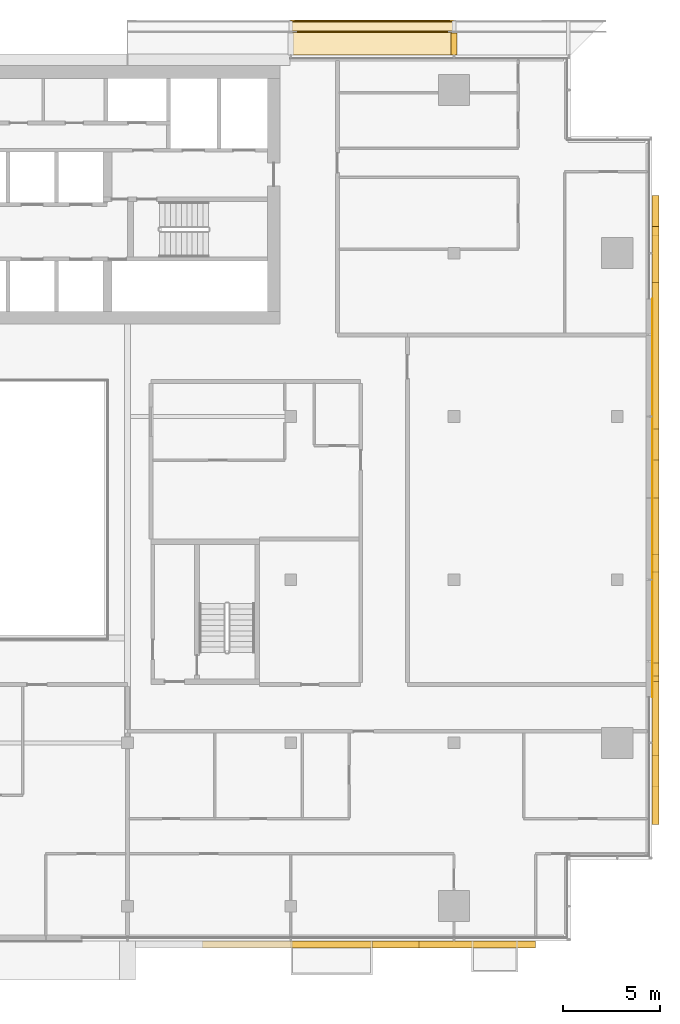
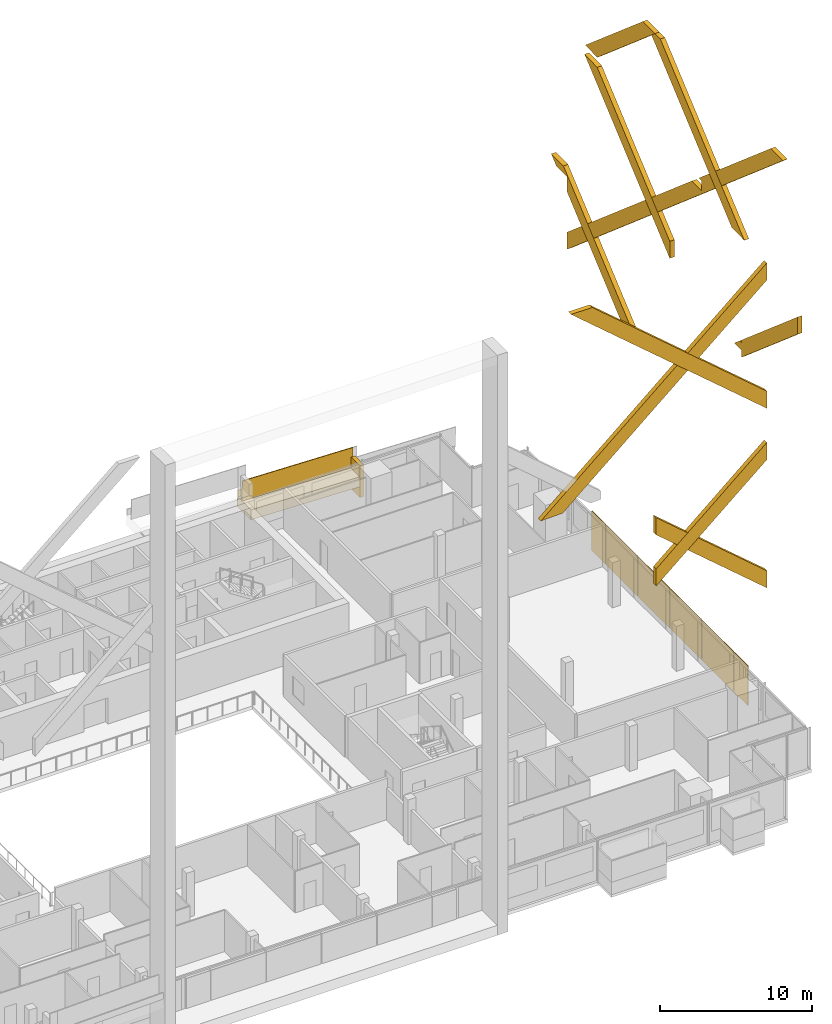
# One storey, part 30 of 31: 19 coverings, 1 railing.
"""IFC4 building model written with IfcOpenShell, lengths in metres."""

import ifcopenshell
import ifcopenshell.guid

model = None  # the IFC model being written
_history = None  # IfcOwnerHistory: only IFC2X3 demands one
_inside = {}  # id of a spatial element -> (the spatial element, [elements in it])
_under = {}  # id of a project, library or spatial element -> (it, [spatial elements below it])
_declared = {}  # id of a project -> (the project, [libraries it declares])
_typed = {}  # id of a type object -> (the type object, [elements of that type])
_made_of = {}  # id of a material, layer set ... -> (it, [elements and type objects made of it])


def new_model(schema):
    """Start an empty IFC model of exactly this schema.

    Asked for "IFC4X3", IfcOpenShell would pick the latest addendum, in which some entities
    have other attributes; the version numbers below select the first issue.
    IFC2X3 requires an IfcOwnerHistory on every rooted entity: one is made here for all.
    """
    global model, _history
    if schema == "IFC4X3":
        model = ifcopenshell.file(schema_version=(4, 3, 0, 0))
    else:
        model = ifcopenshell.file(schema=schema)
    _inside.clear()
    _under.clear()
    _declared.clear()
    _typed.clear()
    _made_of.clear()
    _history = None
    if model.schema == "IFC2X3":
        org = make("IfcOrganization", Name="unknown")
        user = make(
            "IfcPersonAndOrganization",
            ThePerson=make("IfcPerson", FamilyName="unknown"),
            TheOrganization=org,
        )
        app = make(
            "IfcApplication",
            ApplicationDeveloper=org,
            Version="unknown",
            ApplicationFullName="unknown",
            ApplicationIdentifier="unknown",
        )
        _history = make(
            "IfcOwnerHistory",
            OwningUser=user,
            OwningApplication=app,
            ChangeAction="ADDED",
            CreationDate=0,
        )
    return model


def make(cls, **values):
    """One entity of the class cls with the attributes given. An attribute that is None is left unset."""
    return model.create_entity(
        cls, **{name: value for name, value in values.items() if value is not None}
    )


def rooted(cls, **values):
    """An entity with a GlobalId (a new one), such as an element, a storey or a relation."""
    return make(cls, GlobalId=ifcopenshell.guid.new(), OwnerHistory=_history, **values)


def si_unit(unit_type, name, prefix=None):
    """IfcSIUnit, for example si_unit("LENGTHUNIT", "METRE", prefix="MILLI")."""
    return make("IfcSIUnit", UnitType=unit_type, Prefix=prefix, Name=name)


def assignment(units):
    """IfcUnitAssignment: the units of a project."""
    return None if units is None else make("IfcUnitAssignment", Units=units)


def point(xyz):
    """IfcCartesianPoint."""
    return None if xyz is None else make("IfcCartesianPoint", Coordinates=xyz)


def direction(xyz):
    """IfcDirection."""
    return None if xyz is None else make("IfcDirection", DirectionRatios=xyz)


def frame(location, z_axis=None, x_axis=None):
    """IfcAxis2Placement3D, a coordinate frame: its origin and axes. An axis left out is left unset."""
    return make(
        "IfcAxis2Placement3D",
        Location=point(location),
        Axis=direction(z_axis),
        RefDirection=direction(x_axis),
    )


def frame_2d(location, x_axis=None):
    """IfcAxis2Placement2D, a coordinate frame in the plane: its origin and x axis."""
    return make(
        "IfcAxis2Placement2D", Location=point(location), RefDirection=direction(x_axis)
    )


def origin():
    """The frame at (0, 0, 0) with its axes left unset."""
    return frame((0.0, 0.0, 0.0))


def origin_2d():
    """The frame at (0, 0) in the plane with its x axis left unset."""
    return frame_2d((0.0, 0.0))


def place(relative_to, where):
    """IfcLocalPlacement: puts the frame where relative to a parent placement (None: the world)."""
    return make(
        "IfcLocalPlacement", PlacementRelTo=relative_to, RelativePlacement=where
    )


def context(
    kind, dimensions, precision=None, world=None, true_north=None, identifier=None
):
    """IfcGeometricRepresentationContext, for example the 3D "Model" context."""
    return make(
        "IfcGeometricRepresentationContext",
        ContextIdentifier=identifier,
        ContextType=kind,
        CoordinateSpaceDimension=dimensions,
        Precision=precision,
        WorldCoordinateSystem=world,
        TrueNorth=true_north,
    )


def subcontext(parent, identifier, kind, view, scale=None):
    """IfcGeometricRepresentationSubContext, for example "Body" below "Model"."""
    return make(
        "IfcGeometricRepresentationSubContext",
        ContextIdentifier=identifier,
        ContextType=kind,
        ParentContext=parent,
        TargetScale=scale,
        TargetView=view,
    )


def project(units=None, contexts=None):
    """IfcProject with its units and contexts."""
    return rooted(
        "IfcProject",
        Name="project",
        RepresentationContexts=contexts,
        UnitsInContext=assignment(units),
    )


def spatial(cls, under=None, at=None, **own):
    """A site, building, storey or space (cls), placed at a placement, below another one or the project."""
    s = rooted(cls, ObjectPlacement=at, **own)
    if under is not None:
        _under.setdefault(under.id(), (under, []))[1].append(s)
    return s


def polyline(points):
    """IfcPolyline through the points."""
    return make("IfcPolyline", Points=[point(p) for p in points])


def profile(cls, at=None, kind="AREA", **sizes):
    """A parametric profile (cls). Its sizes go by their IFC names, for example OverallWidth=200.0."""
    return make(cls, ProfileType=kind, Position=at, **sizes)


def rectangle(**sizes):
    """IfcRectangleProfileDef."""
    return profile("IfcRectangleProfileDef", **sizes)


def outline(outer, holes=None, kind="AREA"):
    """IfcArbitraryClosedProfileDef: a profile drawn as a closed curve; with holes, ...WithVoids."""
    if holes is None:
        return make("IfcArbitraryClosedProfileDef", ProfileType=kind, OuterCurve=outer)
    return make(
        "IfcArbitraryProfileDefWithVoids",
        ProfileType=kind,
        OuterCurve=outer,
        InnerCurves=holes,
    )


def extrude(swept, where, along, depth):
    """IfcExtrudedAreaSolid: the profile swept, set in the frame where, extruded along a direction by depth."""
    return make(
        "IfcExtrudedAreaSolid",
        SweptArea=swept,
        Position=where,
        ExtrudedDirection=direction(along),
        Depth=depth,
    )


def shape(context_of_items, identifier, shape_type, items):
    """IfcShapeRepresentation: the items that make up one representation, for example the "Body"."""
    return make(
        "IfcShapeRepresentation",
        ContextOfItems=context_of_items,
        RepresentationIdentifier=identifier,
        RepresentationType=shape_type,
        Items=items,
    )


def material(Name=None, Category=None):
    """IfcMaterial."""
    return make("IfcMaterial", Name=Name, Category=Category)


def layer(
    of_material, thickness, ventilated=None, Name=None, Category=None, Priority=None
):
    """IfcMaterialLayer: one layer of a wall or slab, of a material (None: an air gap)."""
    return make(
        "IfcMaterialLayer",
        Material=of_material,
        LayerThickness=thickness,
        IsVentilated=ventilated,
        Name=Name,
        Category=Category,
        Priority=Priority,
    )


def layer_set(layers, Name=None):
    """IfcMaterialLayerSet."""
    return make("IfcMaterialLayerSet", MaterialLayers=layers, LayerSetName=Name)


def made_of(thing, what):
    """Note that an element or type object is made of a material, layer set ...; save() writes the relation."""
    if what is not None:
        _made_of.setdefault(what.id(), (what, []))[1].append(thing)
    return thing


def type_object(cls, material=None, **own):
    """A type object (cls), such as IfcWallType, which elements share."""
    return made_of(rooted(cls, **own), material)


def element(
    cls,
    number,
    at=None,
    inside=None,
    cuts=None,
    type_object=None,
    material=None,
    context=None,
    identifier="Body",
    shape_type=None,
    held_by="IfcProductDefinitionShape",
    body=None,
    shapes=None,
    **own,
):
    """One element of the class cls, such as IfcWall. Its Tag is "e" and its number.

    at: its placement. inside: the storey or other place that contains it. cuts: it is an
    opening in that element (IfcRelVoidsElement). A single representation is given by context,
    identifier, shape_type and body (its items); several are given by shapes. held_by: the class
    of the entity that holds the representations. save() writes the other relations.
    """
    e = rooted(cls, Tag="e%d" % number, ObjectPlacement=at, **own)
    if body is not None:
        shapes = [shape(context, identifier, shape_type, body)]
    if shapes is not None:
        e.Representation = make(held_by, Representations=shapes)
    if inside is not None:
        _inside.setdefault(inside.id(), (inside, []))[1].append(e)
    if cuts is not None:
        rooted(
            "IfcRelVoidsElement", RelatingBuildingElement=cuts, RelatedOpeningElement=e
        )
    if type_object is not None:
        _typed.setdefault(type_object.id(), (type_object, []))[1].append(e)
    return made_of(e, material)


def aggregate(whole, parts):
    """IfcRelAggregates: a whole, such as a stair, and the parts it consists of."""
    return rooted("IfcRelAggregates", RelatingObject=whole, RelatedObjects=parts)


def save(model, path):
    """Write the relations noted so far, then the file.

    IfcRelAggregates (storeys below a building ...), IfcRelContainedInSpatialStructure (elements
    in a storey), IfcRelDefinesByType, IfcRelAssociatesMaterial and IfcRelDeclares: one each for
    every whole, place, type object, material and project.
    """
    for whole, parts in _under.values():
        aggregate(whole, parts)
    for where, things in _inside.values():
        rooted(
            "IfcRelContainedInSpatialStructure",
            RelatedElements=things,
            RelatingStructure=where,
        )
    for kind, things in _typed.values():
        rooted("IfcRelDefinesByType", RelatedObjects=things, RelatingType=kind)
    for what, things in _made_of.values():
        rooted("IfcRelAssociatesMaterial", RelatedObjects=things, RelatingMaterial=what)
    for by, libraries in _declared.values():
        rooted("IfcRelDeclares", RelatingContext=by, RelatedDefinitions=libraries)
    model.write(path)


model = new_model("IFC4")

# Units and contexts
model_context = context("Model", 3, precision=1e-05, world=origin(), true_north=direction((0.0, 1.0)))
body_context = subcontext(model_context, "Body", "Model", "MODEL_VIEW")
ifc_project = project(units=[si_unit("LENGTHUNIT", "METRE"), si_unit("AREAUNIT", "SQUARE_METRE"), si_unit("VOLUMEUNIT", "CUBIC_METRE"), si_unit("PLANEANGLEUNIT", "RADIAN"), si_unit("MASSUNIT", "GRAM", prefix="KILO")], contexts=[model_context])

# Site, building, storey
site_placement = place(None, origin())
site = spatial("IfcSite", under=ifc_project, at=site_placement, CompositionType="ELEMENT")
building_placement = place(site_placement, origin())
building = spatial("IfcBuilding", under=site, at=building_placement, Name="Saffron Gate Tower", CompositionType="ELEMENT")
storey_placement = place(building_placement, frame((0.0, 0.0, 205.5)))
storey = spatial("IfcBuildingStorey", under=building, at=storey_placement, Name="L49", CompositionType="ELEMENT", Elevation=205.5)

# Coverings
ifc_material_1 = material(Name="Ceramic-printed bronze insulated panel")
ifc_layer_1 = layer(ifc_material_1, 0.0400390625)
ifc_layer_set_1 = layer_set([ifc_layer_1], Name="CLDA ceramic-printed bay cladding 40")
covering_type_1 = type_object("IfcCoveringType", Name="CLDA ceramic-printed bay cladding 40", PredefinedType="CLADDING", material=ifc_layer_set_1)
covering_1_placement = place(storey_placement, origin())
element("IfcCovering", 1, at=covering_1_placement, inside=storey, type_object=covering_type_1, Name="CLADDING bay panel in front of the arch", PredefinedType="CLADDING", context=body_context, shape_type="SweptSolid", body=[
    extrude(outline(polyline([(127.239990234375, 42.55078125), (127.239990234375, 44.3701171875), (127.199951171875, 44.3701171875), (127.199951171875, 42.55078125), (127.239990234375, 42.55078125)])), origin(), (0.0, 0.0, 1.0), 3.199951171875),
])
covering_2_placement = place(storey_placement, origin())
element("IfcCovering", 2, at=covering_2_placement, inside=storey, type_object=covering_type_1, Name="CLADDING bay panel in front of the arch", PredefinedType="CLADDING", context=body_context, shape_type="SweptSolid", body=[
    extrude(outline(polyline([(127.239990234375, 44.429931640625), (127.239990234375, 48.570068359375), (127.199951171875, 48.570068359375), (127.199951171875, 44.429931640625), (127.239990234375, 44.429931640625)])), origin(), (0.0, 0.0, 1.0), 3.199951171875),
])
covering_3_placement = place(storey_placement, origin())
element("IfcCovering", 3, at=covering_3_placement, inside=storey, type_object=covering_type_1, Name="CLADDING bay panel in front of the arch", PredefinedType="CLADDING", context=body_context, shape_type="SweptSolid", body=[
    extrude(outline(polyline([(127.239990234375, 48.6298828125), (127.239990234375, 52.77001953125), (127.199951171875, 52.77001953125), (127.199951171875, 48.6298828125), (127.239990234375, 48.6298828125)])), origin(), (0.0, 0.0, 1.0), 3.199951171875),
])
covering_4_placement = place(storey_placement, origin())
element("IfcCovering", 4, at=covering_4_placement, inside=storey, type_object=covering_type_1, Name="CLADDING bay panel in front of the arch", PredefinedType="CLADDING", context=body_context, shape_type="SweptSolid", body=[
    extrude(outline(polyline([(127.239990234375, 52.830078125), (127.239990234375, 56.969970703125), (127.199951171875, 56.969970703125), (127.199951171875, 52.830078125), (127.239990234375, 52.830078125)])), origin(), (0.0, 0.0, 1.0), 3.199951171875),
])
covering_5_placement = place(storey_placement, origin())
element("IfcCovering", 5, at=covering_5_placement, inside=storey, type_object=covering_type_1, Name="CLADDING bay panel in front of the arch", PredefinedType="CLADDING", context=body_context, shape_type="SweptSolid", body=[
    extrude(outline(polyline([(127.239990234375, 57.030029296875), (127.239990234375, 61.169921875), (127.199951171875, 61.169921875), (127.199951171875, 57.030029296875), (127.239990234375, 57.030029296875)])), origin(), (0.0, 0.0, 1.0), 3.199951171875),
])
covering_6_placement = place(storey_placement, origin())
element("IfcCovering", 6, at=covering_6_placement, inside=storey, type_object=covering_type_1, Name="CLADDING bay panel in front of the arch", PredefinedType="CLADDING", context=body_context, shape_type="SweptSolid", body=[
    extrude(outline(polyline([(127.239990234375, 61.22998046875), (127.239990234375, 63.04931640625), (127.199951171875, 63.04931640625), (127.199951171875, 61.22998046875), (127.239990234375, 61.22998046875)])), origin(), (0.0, 0.0, 1.0), 3.199951171875),
])
ifc_material_2 = material(Name="Timber, thermally modified ash", Category="wood")
ifc_layer_2 = layer(ifc_material_2, 0.800048828125)
ifc_layer_set_2 = layer_set([ifc_layer_2], Name="LD1 ledge timber")
covering_type_2 = type_object("IfcCoveringType", Name="LD1 ledge timber", PredefinedType="CLADDING", material=ifc_layer_set_2)
covering_7_placement = place(storey_placement, frame((117.0, 75.60009765625, 1.93017578125), z_axis=(0.028791175352, 0.0, 0.999585448184), x_axis=(-0.999585448184, 0.0, 0.028791175352)))
element("IfcCovering", 7, at=covering_7_placement, inside=storey, type_object=covering_type_2, Name="LEDGE", PredefinedType="CLADDING", context=body_context, shape_type="SweptSolid", body=[
    extrude(outline(polyline([(0.0, 0.0), (8.403385982666892, 0.0), (8.403385982666892, -1.7998046875), (0.0, -1.7998046875), (0.0, 0.0)])), origin(), (0.0, 0.0, -1.0), 0.800048828125),
])
ifc_layer_3 = layer(ifc_material_2, 0.080078125)
ifc_layer_set_3 = layer_set([ifc_layer_3], Name="LD2 ledge planter trough")
covering_type_3 = type_object("IfcCoveringType", Name="LD2 ledge planter trough", PredefinedType="CLADDING", material=ifc_layer_set_3)
covering_8_placement = place(storey_placement, frame((117.0, 77.39990234375, 1.93017578125), z_axis=(0.0, 1.0, 0.0), x_axis=(-0.999585448184, 0.0, 0.028791175352)))
element("IfcCovering", 8, at=covering_8_placement, inside=storey, type_object=covering_type_3, Name="LEDGE planter trough", PredefinedType="CLADDING", context=body_context, shape_type="SweptSolid", body=[
    extrude(outline(polyline([(0.0, 0.0), (8.403385982666892, 0.0), (8.417781570342743, 0.49979272409216496), (0.014395587675851172, 0.4997927240921649), (0.0, 0.0)])), origin(), (0.0, 0.0, -1.0), 0.080078125),
])
ifc_layer_4 = layer(ifc_material_2, 0.300048828125)
ifc_layer_set_4 = layer_set([ifc_layer_4], Name="LD3 ledge riser fin")
covering_type_4 = type_object("IfcCoveringType", Name="LD3 ledge riser fin", PredefinedType="CLADDING", material=ifc_layer_set_4)
covering_9_placement = place(storey_placement, frame((117.0, 76.159912109375, 0.27294921875), z_axis=(0.0, 0.0, 1.0), x_axis=(-1.0, 0.0, 0.0)))
element("IfcCovering", 9, at=covering_9_placement, inside=storey, type_object=covering_type_4, Name="LEDGE riser fin", PredefinedType="CLADDING", context=body_context, shape_type="SweptSolid", body=[
    extrude(rectangle(XDim=0.300048828125, YDim=1.1201171875, at=origin_2d()), origin(), (0.0, 0.0, 1.0), 2.557373046875),
])

# Railing
railing_type = type_object("IfcRailingType", Name="LG1 ledge balustrade", PredefinedType="BALUSTRADE", material=ifc_material_2)
railing_placement = place(storey_placement, frame((117.0, 76.800048828125, 1.93017578125)))
element("IfcRailing", 10, at=railing_placement, inside=storey, type_object=railing_type, Name="LEDGE BALUSTRADE", PredefinedType="BALUSTRADE", context=body_context, shape_type="SweptSolid", body=[
    extrude(rectangle(XDim=0.06005859375, YDim=1.60009765625, at=origin_2d()), frame((0.0, 0.0, 0.800048828125), z_axis=(-0.999585448184, 0.0, 0.028791175352), x_axis=(0.0, -1.0, 0.0)), (0.0, 0.0, 1.0), 8.4033203125),
])

# Coverings
ifc_layer_5 = layer(ifc_material_1, 0.35009765625)
ifc_layer_set_5 = layer_set([ifc_layer_5], Name="LZ1 lozenge lattice bar 1600")
covering_type_5 = type_object("IfcCoveringType", Name="LZ1 lozenge lattice bar 1600", PredefinedType="CLADDING", material=ifc_layer_set_5)
covering_10_placement = place(storey_placement, frame((104.0625, 29.64990234375, 30.7392578125), z_axis=(0.0, -1.0, 0.0), x_axis=(0.999582655558, 0.0, 0.028887968223)))
element("IfcCovering", 11, at=covering_10_placement, inside=storey, type_object=covering_type_5, Name="CLADDING lozenge lattice bar", PredefinedType="CLADDING", context=body_context, shape_type="SweptSolid", body=[
    extrude(outline(polyline([(0.0, 0.0), (1.6564530302159628, 0.0), (17.515025188830666, 12.817246809388081), (17.554640354238227, 14.18801237976602), (0.0, 0.0)])), origin(), (0.0, 0.0, -1.0), 0.35009765625),
])
covering_11_placement = place(storey_placement, frame((112.800048828125, 29.64990234375, 23.82861328125), z_axis=(0.0, -1.0, 0.0), x_axis=(0.0, 0.0, -1.0)))
element("IfcCovering", 12, at=covering_11_placement, inside=storey, type_object=covering_type_5, Name="CLADDING lozenge lattice bar", PredefinedType="CLADDING", context=body_context, shape_type="SweptSolid", body=[
    extrude(outline(polyline([(0.0, 0.0), (1.37158203125, 0.0), (-5.82861328125, 8.39990234375), (-7.199951171875, 8.39990234375), (0.0, 0.0)])), origin(), (0.0, 0.0, -1.0), 0.35009765625),
])
covering_12_placement = place(storey_placement, frame((121.199951171875, 29.64990234375, 20.742919921875), z_axis=(0.0, -1.0, 0.0), x_axis=(-0.759255044656, 0.0, 0.650793190779)))
element("IfcCovering", 13, at=covering_12_placement, inside=storey, type_object=covering_type_5, Name="CLADDING lozenge lattice bar", PredefinedType="CLADDING", context=body_context, shape_type="SweptSolid", body=[
    extrude(outline(polyline([(0.0, 0.0), (11.06334742570805, 0.0), (10.170890064231838, 1.0411952113848493), (-0.8926162465325556, 1.0413805763859858), (0.0, 0.0)])), origin(), (0.0, 0.0, -1.0), 0.35009765625),
])
covering_13_placement = place(storey_placement, frame((121.199951171875, 29.64990234375, 35.142822265625), z_axis=(0.0, -1.0, 0.0), x_axis=(-0.759255614848, 0.0, 0.650792525558)))
element("IfcCovering", 14, at=covering_13_placement, inside=storey, type_object=covering_type_5, Name="CLADDING lozenge lattice bar", PredefinedType="CLADDING", context=body_context, shape_type="SweptSolid", body=[
    extrude(outline(polyline([(0.0, 0.0), (17.451303277697722, 0.0), (18.666001042369647, 1.0411727099567596), (-0.8924564492334989, 1.0411959933102701), (0.0, 0.0)])), origin(), (0.0, 0.0, -1.0), 0.35009765625),
])
covering_14_placement = place(storey_placement, frame((127.550048828125, 43.0126953125, 37.03955078125), z_axis=(1.0, 0.0, 0.0), x_axis=(0.0, 0.999586900679, 0.028740702688)))
element("IfcCovering", 15, at=covering_14_placement, inside=storey, type_object=covering_type_5, Name="CLADDING lozenge lattice bar", PredefinedType="CLADDING", context=body_context, shape_type="SweptSolid", body=[
    extrude(outline(polyline([(0.0, 0.0), (1.6564459954660578, -6.938893903907228e-18), (12.903886567899956, 9.093338903504753), (11.304693950676016, 9.139319817742246), (0.0, 0.0)])), origin(), (0.0, 0.0, -1.0), 0.35009765625),
])
covering_15_placement = place(storey_placement, frame((127.550048828125, 52.800048828125, 31.028564453125), z_axis=(1.0, 0.0, 0.0), x_axis=(0.0, 0.0, -1.0)))
element("IfcCovering", 16, at=covering_15_placement, inside=storey, type_object=covering_type_5, Name="CLADDING lozenge lattice bar", PredefinedType="CLADDING", context=body_context, shape_type="SweptSolid", body=[
    extrude(outline(polyline([(0.0, 0.0), (1.371337890625, 0.0), (-8.2158203125, 11.18505859375), (-8.16796875, 9.529296875), (0.0, 0.0)])), origin(), (0.0, 0.0, -1.0), 0.35009765625),
])
covering_16_placement = place(storey_placement, frame((127.550048828125, 57.68994140625, 20.820068359375), z_axis=(1.0, 0.0, 0.0), x_axis=(0.0, 1.0, 0.0)))
element("IfcCovering", 17, at=covering_16_placement, inside=storey, type_object=covering_type_5, Name="CLADDING lozenge lattice bar", PredefinedType="CLADDING", context=body_context, shape_type="SweptSolid", body=[
    extrude(outline(polyline([(0.0, 0.0), (0.360107421875, 0.0), (1.60009765625, 0.0), (8.610107421875, 6.008544921875), (8.610107421875, 7.199951171875), (10.0, 7.199951171875), (10.6767578125, 7.780029296875), (9.07666015625, 7.780029296875), (0.0, 0.0)])), origin(), (0.0, 0.0, -1.0), 0.35009765625),
])
covering_17_placement = place(storey_placement, frame((127.550048828125, 43.35009765625, 27.471435546875), z_axis=(1.0, 0.0, 0.0), x_axis=(0.0, 0.0, 1.0)))
element("IfcCovering", 18, at=covering_17_placement, inside=storey, type_object=covering_type_5, Name="CLADDING lozenge lattice bar", PredefinedType="CLADDING", context=body_context, shape_type="SweptSolid", body=[
    extrude(outline(polyline([(0.0, 0.0), (0.548583984375, 0.0), (0.548583984375, -0.9599609375), (1.128662109375, -0.283203125), (1.128662109375, 0.0), (1.371337890625, 0.0), (7.67138671875, 7.35009765625), (6.300048828125, 7.35009765625), (0.0, 0.0)])), origin(), (0.0, 0.0, -1.0), 0.35009765625),
])
covering_18_placement = place(storey_placement, frame((127.550048828125, 66.300048828125, 22.199951171875), z_axis=(1.0, 0.0, 0.0), x_axis=(0.0, 0.0, 1.0)))
element("IfcCovering", 19, at=covering_18_placement, inside=storey, type_object=covering_type_5, Name="CLADDING lozenge lattice bar", PredefinedType="CLADDING", context=body_context, shape_type="SweptSolid", body=[
    extrude(outline(polyline([(0.0, 0.0), (1.37158203125, 0.0), (15.43798828125, 16.410888671875), (15.40087890625, 17.699951171875), (16.200927734375, 17.699951171875), (16.2119140625, 17.31396484375), (24.300048828125, 26.75), (24.300048828125, 28.35009765625), (0.0, 0.0)])), origin(), (0.0, 0.0, -1.0), 0.35009765625),
])
covering_19_placement = place(storey_placement, frame((127.550048828125, 62.3369140625, 39.996826171875), z_axis=(1.0, 0.0, 0.0), x_axis=(0.0, 0.999583815893, 0.028847790303)))
element("IfcCovering", 20, at=covering_19_placement, inside=storey, type_object=covering_type_5, Name="CLADDING lozenge lattice bar", PredefinedType="CLADDING", context=body_context, shape_type="SweptSolid", body=[
    extrude(outline(polyline([(0.0, 0.0), (1.548740264209261, 0.0), (-5.796722593513867, 6.673173734798159), (-7.396154314549247, 6.719333016449235), (0.0, 0.0)])), origin(), (0.0, 0.0, -1.0), 0.35009765625),
])

save(model, "model.ifc")
